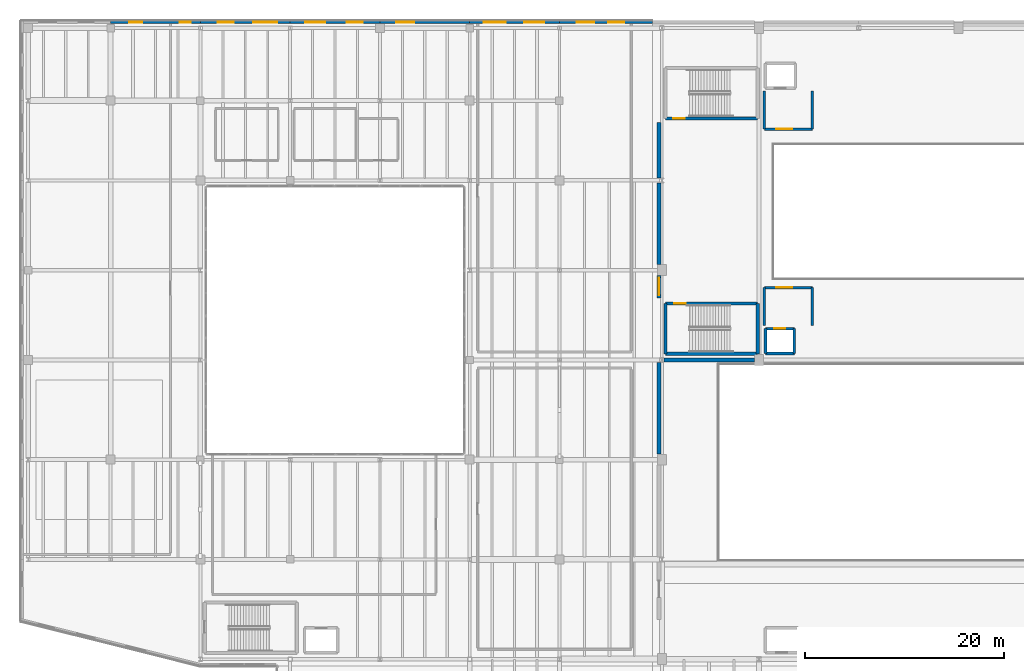
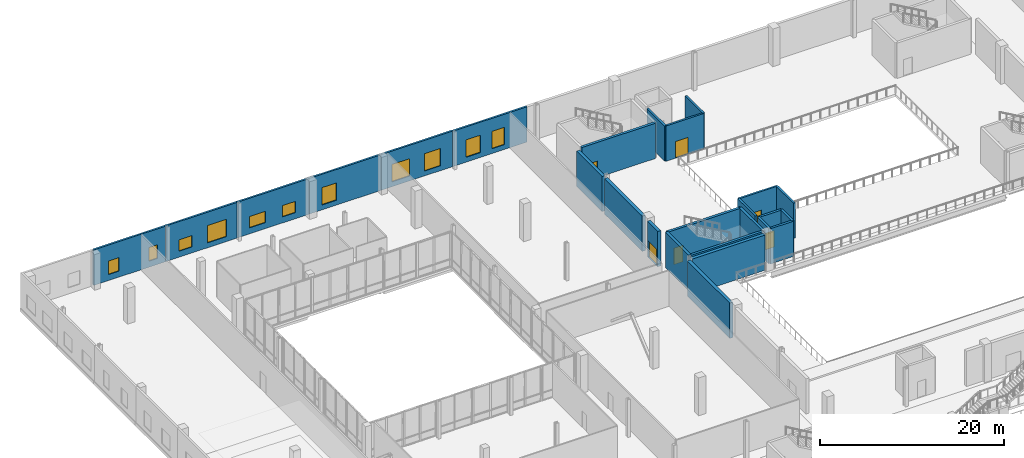
# One storey, part 57 of 73: 26 walls, 11 windows, 6 doors, 17 openings.
"""IFC4 building model written with IfcOpenShell, lengths in metres."""

from ifc_helpers import new_model, si_unit, direction, frame, frame_2d, origin, place, context, subcontext, project, spatial, rectangle, extrude, material, layer, layer_set, type_object, element, fill, save


model = new_model("IFC4")

# Units and contexts
model_context = context("Model", 3, precision=1e-05, world=origin(), true_north=direction((0.0, 1.0)))
body_context = subcontext(model_context, "Body", "Model", "MODEL_VIEW")
ifc_project = project(units=[si_unit("LENGTHUNIT", "METRE"), si_unit("AREAUNIT", "SQUARE_METRE"), si_unit("VOLUMEUNIT", "CUBIC_METRE"), si_unit("PLANEANGLEUNIT", "RADIAN"), si_unit("MASSUNIT", "GRAM", prefix="KILO")], contexts=[model_context])

# Site, building, storey
site_placement = place(None, origin())
site = spatial("IfcSite", under=ifc_project, at=site_placement, CompositionType="ELEMENT")
building_placement = place(site_placement, origin())
building = spatial("IfcBuilding", under=site, at=building_placement, Name="Trimount Lyric Opera House", CompositionType="ELEMENT")
storey_placement = place(building_placement, frame((0.0, 0.0, 10.0)))
storey = spatial("IfcBuildingStorey", under=building, at=storey_placement, Name="L02", CompositionType="ELEMENT", Elevation=10.0)

# Wall
ifc_material_1 = material(Name="Concrete C40/50", Category="concrete")
ifc_layer_1 = layer(ifc_material_1, 0.280029296875)
ifc_layer_set_1 = layer_set([ifc_layer_1], Name="WL-SH280")
wall_type_1 = type_object("IfcWallType", Name="WL-SH280", PredefinedType="SHEAR", material=ifc_layer_set_1)
wall_1_placement = place(storey_placement, frame((74.659912109375, 84.659912109375, 0.0), z_axis=(0.0, 0.0, 1.0), x_axis=(1.0, 0.0, 0.0)))
element("IfcWall", 1, at=wall_1_placement, inside=storey, type_object=wall_type_1, Name="Lift LF-01 L02 south shaft wall", PredefinedType="SHEAR", context=body_context, shape_type="SweptSolid", body=[
    extrude(rectangle(XDim=2.880126953125, YDim=0.280029296875, at=frame_2d((1.43994140625, 0.0))), origin(), (0.0, 0.0, 1.0), 4.675048828125),
])

# Wall, opening, door
wall_2_placement = place(storey_placement, frame((77.5400390625, 87.139892578125, 0.0), z_axis=(0.0, 0.0, 1.0), x_axis=(-1.0, 0.0, 0.0)))
wall_2 = element("IfcWall", 2, at=wall_2_placement, inside=storey, type_object=wall_type_1, Name="Lift LF-01 L02 north shaft wall", PredefinedType="SHEAR", context=body_context, shape_type="SweptSolid", body=[
    extrude(rectangle(XDim=2.880126953125, YDim=0.280029296875, at=frame_2d((1.43994140625, 0.0))), origin(), (0.0, 0.0, 1.0), 4.675048828125),
])
opening_1_placement = place(wall_2_placement, frame((0.889892578125, 0.0, 0.0)))
opening_1 = element("IfcOpeningElement", 3, at=opening_1_placement, cuts=wall_2, Name="Opening DT-LD1", PredefinedType="OPENING", context=body_context, shape_type="SweptSolid", body=[
    extrude(rectangle(XDim=1.10009765625, YDim=2.199951171875, at=frame_2d((0.550048828125, 1.10009765625))), frame((0.0, 0.14990234375, 0.0), z_axis=(0.0, -1.0, 0.0), x_axis=(1.0, 0.0, 0.0)), (0.0, 0.0, 1.0), 0.300048828125),
])
ifc_material_2 = material(Name="Brushed Stainless Steel", Category="steel")
door_type_1 = type_object("IfcDoorType", Name="DT-LD1", OperationType="SLIDING_TO_LEFT", PredefinedType="DOOR", material=ifc_material_2)
door_1_placement = place(opening_1_placement, origin())
door_1 = element("IfcDoor", 4, at=door_1_placement, inside=storey, type_object=door_type_1, Name="D-063", OperationType="SLIDING_TO_LEFT", OverallHeight=2.199951171875, OverallWidth=1.10009765625, PredefinedType="DOOR", context=body_context, shape_type="SweptSolid", body=[
    extrude(rectangle(XDim=1.10009765625, YDim=2.199951171875, at=frame_2d((0.550048828125, 1.10009765625))), frame((0.0, 0.02490234375, 0.0), z_axis=(0.0, -1.0, 0.0), x_axis=(1.0, 0.0, 0.0)), (0.0, 0.0, 1.0), 0.050048828125),
])
fill(opening_1, door_1)

# Walls
for number, where, z_axis, x_axis, name in (
    (5, (74.659912109375, 87.139892578125, 0.0), (0.0, 0.0, 1.0), (0.0, -1.0, 0.0), "Lift LF-01 L02 west shaft wall"),
    (6, (77.5400390625, 84.659912109375, 0.0), (0.0, 0.0, 1.0), (0.0, 1.0, 0.0), "Lift LF-01 L02 east shaft wall"),
):
    element("IfcWall", number, at=place(storey_placement, frame(where, z_axis=z_axis, x_axis=x_axis)), inside=storey, type_object=wall_type_1, Name=name, PredefinedType="SHEAR", context=body_context, shape_type="SweptSolid", body=[
        extrude(rectangle(XDim=2.47998046875, YDim=0.280029296875, at=frame_2d((1.239990234375, 0.0))), origin(), (0.0, 0.0, 1.0), 4.675048828125),
    ])

# Wall, opening, door
ifc_material_3 = material(Name="Concrete C40/50", Category="concrete")
ifc_layer_2 = layer(ifc_material_3, 0.320068359375)
ifc_layer_set_2 = layer_set([ifc_layer_2], Name="WL-SH320")
wall_type_2 = type_object("IfcWallType", Name="WL-SH320", PredefinedType="SHEAR", material=ifc_layer_set_2)
wall_3_placement = place(storey_placement, frame((64.625, 108.22509765625, 0.0), z_axis=(0.0, 0.0, 1.0), x_axis=(1.0, 0.0, 0.0)))
wall_3 = element("IfcWall", 7, at=wall_3_placement, inside=storey, type_object=wall_type_2, Name="K1 L02 south shaft wall", PredefinedType="SHEAR", context=body_context, shape_type="SweptSolid", body=[
    extrude(rectangle(XDim=9.25, YDim=0.320068359375, at=frame_2d((4.625, 0.0))), origin(), (0.0, 0.0, 1.0), 4.675048828125),
])
opening_2_placement = place(wall_3_placement, frame((0.800048828125, 0.0, 0.0)))
opening_2 = element("IfcOpeningElement", 8, at=opening_2_placement, cuts=wall_3, Name="Opening DT-ST1", PredefinedType="OPENING", context=body_context, shape_type="SweptSolid", body=[
    extrude(rectangle(XDim=1.14990234375, YDim=2.199951171875, at=frame_2d((0.574951171875, 1.10009765625))), frame((0.0, 0.169921875, 0.0), z_axis=(0.0, -1.0, 0.0), x_axis=(1.0, 0.0, 0.0)), (0.0, 0.0, 1.0), 0.340087890625),
])
ifc_material_4 = material(Name="Fire-Rated Hollow Steel", Category="steel")
door_type_2 = type_object("IfcDoorType", Name="DT-ST1", OperationType="NOTDEFINED", PredefinedType="DOOR", material=ifc_material_4)
door_2_placement = place(opening_2_placement, origin())
door_2 = element("IfcDoor", 9, at=door_2_placement, inside=storey, type_object=door_type_2, Name="D-010", OperationType="SINGLE_SWING_RIGHT", OverallHeight=2.199951171875, OverallWidth=1.14990234375, PredefinedType="DOOR", context=body_context, shape_type="SweptSolid", body=[
    extrude(rectangle(XDim=1.14990234375, YDim=2.199951171875, at=frame_2d((0.574951171875, 1.10009765625))), frame((0.0, 0.02490234375, 0.0), z_axis=(0.0, -1.0, 0.0), x_axis=(1.0, 0.0, 0.0)), (0.0, 0.0, 1.0), 0.050048828125),
])
fill(opening_2, door_2)

# Wall
wall_4_placement = place(storey_placement, frame((64.625, 84.625, 0.0), z_axis=(0.0, 0.0, 1.0), x_axis=(1.0, 0.0, 0.0)))
element("IfcWall", 10, at=wall_4_placement, inside=storey, type_object=wall_type_2, Name="K3 L02 south shaft wall", PredefinedType="SHEAR", context=body_context, shape_type="SweptSolid", body=[
    extrude(rectangle(XDim=9.25, YDim=0.320068359375, at=frame_2d((4.625, 0.0))), origin(), (0.0, 0.0, 1.0), 4.675048828125),
])

# Wall, opening, door
wall_5_placement = place(storey_placement, frame((73.875, 89.675048828125, 0.0), z_axis=(0.0, 0.0, 1.0), x_axis=(-1.0, 0.0, 0.0)))
wall_5 = element("IfcWall", 11, at=wall_5_placement, inside=storey, type_object=wall_type_2, Name="K3 L02 north shaft wall", PredefinedType="SHEAR", context=body_context, shape_type="SweptSolid", body=[
    extrude(rectangle(XDim=9.25, YDim=0.320068359375, at=frame_2d((4.625, 0.0))), origin(), (0.0, 0.0, 1.0), 4.675048828125),
])
opening_3_placement = place(wall_5_placement, frame((7.199951171875, 0.0, 0.0)))
opening_3 = element("IfcOpeningElement", 12, at=opening_3_placement, cuts=wall_5, Name="Opening DT-ST1", PredefinedType="OPENING", context=body_context, shape_type="SweptSolid", body=[
    extrude(rectangle(XDim=1.14990234375, YDim=2.199951171875, at=frame_2d((0.574951171875, 1.10009765625))), frame((0.0, 0.169921875, 0.0), z_axis=(0.0, -1.0, 0.0), x_axis=(1.0, 0.0, 0.0)), (0.0, 0.0, 1.0), 0.340087890625),
])
door_3_placement = place(opening_3_placement, origin())
door_3 = element("IfcDoor", 13, at=door_3_placement, inside=storey, type_object=door_type_2, Name="D-026", OperationType="SINGLE_SWING_RIGHT", OverallHeight=2.199951171875, OverallWidth=1.14990234375, PredefinedType="DOOR", context=body_context, shape_type="SweptSolid", body=[
    extrude(rectangle(XDim=1.14990234375, YDim=2.199951171875, at=frame_2d((0.574951171875, 1.10009765625))), frame((0.0, 0.02490234375, 0.0), z_axis=(0.0, -1.0, 0.0), x_axis=(1.0, 0.0, 0.0)), (0.0, 0.0, 1.0), 0.050048828125),
])
fill(opening_3, door_3)

# Walls
for number, where, z_axis, x_axis, name in (
    (14, (64.625, 89.675048828125, 0.0), (0.0, 0.0, 1.0), (0.0, -1.0, 0.0), "K3 L02 west shaft wall"),
    (15, (73.875, 84.625, 0.0), (0.0, 0.0, 1.0), (0.0, 1.0, 0.0), "K3 L02 east shaft wall"),
):
    element("IfcWall", number, at=place(storey_placement, frame(where, z_axis=z_axis, x_axis=x_axis)), inside=storey, type_object=wall_type_2, Name=name, PredefinedType="SHEAR", context=body_context, shape_type="SweptSolid", body=[
        extrude(rectangle(XDim=5.050048828125, YDim=0.320068359375, at=frame_2d((2.52490234375, 0.0))), origin(), (0.0, 0.0, 1.0), 4.675048828125),
    ])
ifc_material_5 = material(Name="Concrete C40/50", Category="concrete")
ifc_layer_3 = layer(ifc_material_5, 0.39990234375)
ifc_layer_set_3 = layer_set([ifc_layer_3], Name="WL-SH400")
wall_type_3 = type_object("IfcWallType", Name="WL-SH400", PredefinedType="SHEAR", material=ifc_layer_set_3)
wall_6_placement = place(storey_placement, frame((64.0, 74.550048828125, 0.0), z_axis=(0.0, 0.0, 1.0), x_axis=(0.0, 1.0, 0.0)))
element("IfcWall", 16, at=wall_6_placement, inside=storey, type_object=wall_type_3, Name="L02 auditorium west acoustic shear wall", PredefinedType="SHEAR", context=body_context, shape_type="SweptSolid", body=[
    extrude(rectangle(XDim=9.217529296875, YDim=0.39990234375, at=frame_2d((4.60888671875, 0.0))), origin(), (0.0, 0.0, 1.0), 4.675048828125),
])

# Wall, opening, door
wall_7_placement = place(storey_placement, frame((64.0, 90.199951171875, 0.0), z_axis=(0.0, 0.0, 1.0), x_axis=(0.0, 1.0, 0.0)))
wall_7 = element("IfcWall", 17, at=wall_7_placement, inside=storey, type_object=wall_type_3, Name="L02 fly-tower west shear wall", PredefinedType="SHEAR", context=body_context, shape_type="SweptSolid", body=[
    extrude(rectangle(XDim=2.25, YDim=0.39990234375, at=frame_2d((1.125, 0.0))), origin(), (0.0, 0.0, 1.0), 4.675048828125),
])
opening_4_placement = place(wall_7_placement, frame((0.300048828125, 0.0, 0.0)))
opening_4 = element("IfcOpeningElement", 18, at=opening_4_placement, cuts=wall_7, Name="Opening DT-COR1", PredefinedType="OPENING", context=body_context, shape_type="SweptSolid", body=[
    extrude(rectangle(XDim=1.75, YDim=2.199951171875, at=frame_2d((0.875, 1.10009765625))), frame((0.0, 0.2099609375, 0.0), z_axis=(0.0, -1.0, 0.0), x_axis=(1.0, 0.0, 0.0)), (0.0, 0.0, 1.0), 0.419921875),
])
ifc_material_6 = material(Name="Fire-Rated Timber Veneer", Category="wood")
door_type_3 = type_object("IfcDoorType", Name="DT-COR1", OperationType="DOUBLE_DOOR_SINGLE_SWING", PredefinedType="DOOR", material=ifc_material_6)
door_4_placement = place(opening_4_placement, origin())
door_4 = element("IfcDoor", 19, at=door_4_placement, inside=storey, type_object=door_type_3, Name="D-133", OperationType="DOUBLE_DOOR_SINGLE_SWING", OverallHeight=2.199951171875, OverallWidth=1.75, PredefinedType="DOOR", context=body_context, shape_type="SweptSolid", body=[
    extrude(rectangle(XDim=1.75, YDim=2.199951171875, at=frame_2d((0.875, 1.10009765625))), frame((0.0, 0.02490234375, 0.0), z_axis=(0.0, -1.0, 0.0), x_axis=(1.0, 0.0, 0.0)), (0.0, 0.0, 1.0), 0.050048828125),
])
fill(opening_4, door_4)

# Walls
wall_8_placement = place(storey_placement, frame((64.0, 93.550048828125, 0.0), z_axis=(0.0, 0.0, 1.0), x_axis=(0.0, 1.0, 0.0)))
element("IfcWall", 20, at=wall_8_placement, inside=storey, type_object=wall_type_3, Name="L02 fly-tower west shear wall", PredefinedType="SHEAR", context=body_context, shape_type="SweptSolid", body=[
    extrude(rectangle(XDim=8.217529296875, YDim=0.39990234375, at=frame_2d((4.10888671875, 0.0))), origin(), (0.0, 0.0, 1.0), 4.675048828125),
])
wall_9_placement = place(storey_placement, frame((64.0, 102.232421875, 0.0), z_axis=(0.0, 0.0, 1.0), x_axis=(0.0, 1.0, 0.0)))
element("IfcWall", 21, at=wall_9_placement, inside=storey, type_object=wall_type_3, Name="L02 fly-tower west shear wall", PredefinedType="SHEAR", context=body_context, shape_type="SweptSolid", body=[
    extrude(rectangle(XDim=5.567626953125, YDim=0.39990234375, at=frame_2d((2.78369140625, 0.0))), origin(), (0.0, 0.0, 1.0), 4.675048828125),
])
wall_10_placement = place(storey_placement, frame((64.470947265625, 84.0, 0.0), z_axis=(0.0, 0.0, 1.0), x_axis=(1.0, 0.0, 0.0)))
element("IfcWall", 22, at=wall_10_placement, inside=storey, type_object=wall_type_3, Name="L02 proscenium west wing wall", PredefinedType="SHEAR", context=body_context, shape_type="SweptSolid", body=[
    extrude(rectangle(XDim=9.0791015625, YDim=0.39990234375, at=frame_2d((4.53955078125, 0.0))), origin(), (0.0, 0.0, 1.0), 4.675048828125),
])

# Wall, opening, door
ifc_material_7 = material(Name="Concrete C35/45", Category="concrete")
ifc_layer_4 = layer(ifc_material_7, 0.239990234375)
ifc_layer_set_4 = layer_set([ifc_layer_4], Name="WL-SW240")
wall_type_4 = type_object("IfcWallType", Name="WL-SW240", PredefinedType="SOLIDWALL", material=ifc_layer_set_4)
wall_11_placement = place(storey_placement, frame((74.550048828125, 91.25, 0.0), z_axis=(0.0, 0.0, 1.0), x_axis=(1.0, 0.0, 0.0)))
wall_11 = element("IfcWall", 23, at=wall_11_placement, inside=storey, type_object=wall_type_4, Name="L02 firefighting lobby LF-01 entry wall", PredefinedType="SOLIDWALL", context=body_context, shape_type="SweptSolid", body=[
    extrude(rectangle(XDim=4.800048828125, YDim=0.239990234375, at=frame_2d((2.39990234375, 0.0))), origin(), (0.0, 0.0, 1.0), 4.675048828125),
])
opening_5_placement = place(wall_11_placement, frame((1.199951171875, 0.0, 0.0)))
opening_5 = element("IfcOpeningElement", 24, at=opening_5_placement, cuts=wall_11, Name="Opening DT-FF1", PredefinedType="OPENING", context=body_context, shape_type="SweptSolid", body=[
    extrude(rectangle(XDim=1.60009765625, YDim=2.199951171875, at=frame_2d((0.800048828125, 1.10009765625))), frame((0.0, 0.1298828125, 0.0), z_axis=(0.0, -1.0, 0.0), x_axis=(1.0, 0.0, 0.0)), (0.0, 0.0, 1.0), 0.260009765625),
])
ifc_material_8 = material(Name="Fire-Rated Hollow Steel", Category="steel")
door_type_4 = type_object("IfcDoorType", Name="DT-FF1", OperationType="DOUBLE_DOOR_SINGLE_SWING", PredefinedType="DOOR", material=ifc_material_8)
door_5_placement = place(opening_5_placement, origin())
door_5 = element("IfcDoor", 25, at=door_5_placement, inside=storey, type_object=door_type_4, Name="D-064", OperationType="DOUBLE_DOOR_SINGLE_SWING", OverallHeight=2.199951171875, OverallWidth=1.60009765625, PredefinedType="DOOR", context=body_context, shape_type="SweptSolid", body=[
    extrude(rectangle(XDim=1.60009765625, YDim=2.199951171875, at=frame_2d((0.800048828125, 1.10009765625))), frame((0.0, 0.02490234375, 0.0), z_axis=(0.0, -1.0, 0.0), x_axis=(1.0, 0.0, 0.0)), (0.0, 0.0, 1.0), 0.050048828125),
])
fill(opening_5, door_5)

# Walls
for number, where, z_axis, x_axis, name in (
    (26, (74.550048828125, 91.25, 0.0), (0.0, 0.0, 1.0), (0.0, -1.0, 0.0), "L02 firefighting lobby LF-01 west wall"),
    (27, (79.35009765625, 87.449951171875, 0.0), (0.0, 0.0, 1.0), (0.0, 1.0, 0.0), "L02 firefighting lobby LF-01 east wall"),
):
    element("IfcWall", number, at=place(storey_placement, frame(where, z_axis=z_axis, x_axis=x_axis)), inside=storey, type_object=wall_type_4, Name=name, PredefinedType="SOLIDWALL", context=body_context, shape_type="SweptSolid", body=[
        extrude(rectangle(XDim=3.800048828125, YDim=0.239990234375, at=frame_2d((1.89990234375, 0.0))), origin(), (0.0, 0.0, 1.0), 4.675048828125),
    ])

# Wall, opening, door
wall_12_placement = place(storey_placement, frame((74.550048828125, 107.14990234375, 0.0), z_axis=(0.0, 0.0, 1.0), x_axis=(1.0, 0.0, 0.0)))
wall_12 = element("IfcWall", 28, at=wall_12_placement, inside=storey, type_object=wall_type_4, Name="L02 firefighting lobby LF-05 entry wall", PredefinedType="SOLIDWALL", context=body_context, shape_type="SweptSolid", body=[
    extrude(rectangle(XDim=4.800048828125, YDim=0.239990234375, at=frame_2d((2.39990234375, 0.0))), origin(), (0.0, 0.0, 1.0), 4.675048828125),
])
opening_6_placement = place(wall_12_placement, frame((1.199951171875, 0.0, 0.0)))
opening_6 = element("IfcOpeningElement", 29, at=opening_6_placement, cuts=wall_12, Name="Opening DT-FF1", PredefinedType="OPENING", context=body_context, shape_type="SweptSolid", body=[
    extrude(rectangle(XDim=1.60009765625, YDim=2.199951171875, at=frame_2d((0.800048828125, 1.10009765625))), frame((0.0, 0.1298828125, 0.0), z_axis=(0.0, -1.0, 0.0), x_axis=(1.0, 0.0, 0.0)), (0.0, 0.0, 1.0), 0.260009765625),
])
door_6_placement = place(opening_6_placement, origin())
door_6 = element("IfcDoor", 30, at=door_6_placement, inside=storey, type_object=door_type_4, Name="D-098", OperationType="DOUBLE_DOOR_SINGLE_SWING", OverallHeight=2.199951171875, OverallWidth=1.60009765625, PredefinedType="DOOR", context=body_context, shape_type="SweptSolid", body=[
    extrude(rectangle(XDim=1.60009765625, YDim=2.199951171875, at=frame_2d((0.800048828125, 1.10009765625))), frame((0.0, 0.02490234375, 0.0), z_axis=(0.0, -1.0, 0.0), x_axis=(1.0, 0.0, 0.0)), (0.0, 0.0, 1.0), 0.050048828125),
])
fill(opening_6, door_6)

# Walls
for number, where, z_axis, x_axis, name in (
    (31, (74.550048828125, 110.949951171875, 0.0), (0.0, 0.0, 1.0), (0.0, -1.0, 0.0), "L02 firefighting lobby LF-05 west wall"),
    (32, (79.35009765625, 107.14990234375, 0.0), (0.0, 0.0, 1.0), (0.0, 1.0, 0.0), "L02 firefighting lobby LF-05 east wall"),
):
    element("IfcWall", number, at=place(storey_placement, frame(where, z_axis=z_axis, x_axis=x_axis)), inside=storey, type_object=wall_type_4, Name=name, PredefinedType="SOLIDWALL", context=body_context, shape_type="SweptSolid", body=[
        extrude(rectangle(XDim=3.800048828125, YDim=0.239990234375, at=frame_2d((1.89990234375, 0.0))), origin(), (0.0, 0.0, 1.0), 4.675048828125),
    ])

# Wall, openings, windows
wall_13_placement = place(storey_placement, frame((9.0, 117.860107421875, 0.0), z_axis=(0.0, 0.0, 1.0), x_axis=(1.0, 0.0, 0.0)))
wall_13 = element("IfcWall", 33, at=wall_13_placement, inside=storey, type_object=wall_type_4, Name="L02 exterior facade wall 205", PredefinedType="SOLIDWALL", context=body_context, shape_type="SweptSolid", body=[
    extrude(rectangle(XDim=9.0, YDim=0.239990234375, at=frame_2d((4.5, 0.0))), origin(), (0.0, 0.0, 1.0), 4.7099609375),
])
opening_7_placement = place(wall_13_placement, frame((1.8701171875, 0.0, 0.800048828125)))
opening_7 = element("IfcOpeningElement", 34, at=opening_7_placement, cuts=wall_13, Name="Opening WT-21", PredefinedType="OPENING", context=body_context, shape_type="SweptSolid", body=[
    extrude(rectangle(XDim=1.300048828125, YDim=1.800048828125, at=frame_2d((0.64990234375, 0.89990234375))), frame((0.0, 0.1298828125, 0.0), z_axis=(0.0, -1.0, 0.0), x_axis=(1.0, 0.0, 0.0)), (0.0, 0.0, 1.0), 0.260009765625),
])
opening_8_placement = place(wall_13_placement, frame((6.929931640625, 0.0, 0.800048828125)))
opening_8 = element("IfcOpeningElement", 35, at=opening_8_placement, cuts=wall_13, Name="Opening WT-22", PredefinedType="OPENING", context=body_context, shape_type="SweptSolid", body=[
    extrude(rectangle(XDim=1.10009765625, YDim=1.800048828125, at=frame_2d((0.550048828125, 0.89990234375))), frame((0.0, 0.1298828125, 0.0), z_axis=(0.0, -1.0, 0.0), x_axis=(1.0, 0.0, 0.0)), (0.0, 0.0, 1.0), 0.260009765625),
])
ifc_material_9 = material(Name="Dressing Suite Acoustic Window")
window_type_1 = type_object("IfcWindowType", Name="WT-21", PartitioningType="SINGLE_PANEL", PredefinedType="WINDOW", material=ifc_material_9)
window_1_placement = place(opening_7_placement, origin())
window_1 = element("IfcWindow", 36, at=window_1_placement, inside=storey, type_object=window_type_1, Name="Window WT-21-0151", OverallHeight=1.800048828125, OverallWidth=1.300048828125, PartitioningType="SINGLE_PANEL", PredefinedType="WINDOW", context=body_context, shape_type="SweptSolid", body=[
    extrude(rectangle(XDim=1.300048828125, YDim=1.800048828125, at=frame_2d((0.64990234375, 0.89990234375))), frame((0.0, 0.030029296875, 0.0), z_axis=(0.0, -1.0, 0.0), x_axis=(1.0, 0.0, 0.0)), (0.0, 0.0, 1.0), 0.06005859375),
])
fill(opening_7, window_1)
ifc_material_10 = material(Name="Practice Room Acoustic Window")
window_type_2 = type_object("IfcWindowType", Name="WT-22", PartitioningType="SINGLE_PANEL", PredefinedType="WINDOW", material=ifc_material_10)
window_2_placement = place(opening_8_placement, origin())
window_2 = element("IfcWindow", 37, at=window_2_placement, inside=storey, type_object=window_type_2, Name="Window WT-22-0152", OverallHeight=1.800048828125, OverallWidth=1.10009765625, PartitioningType="SINGLE_PANEL", PredefinedType="WINDOW", context=body_context, shape_type="SweptSolid", body=[
    extrude(rectangle(XDim=1.10009765625, YDim=1.800048828125, at=frame_2d((0.550048828125, 0.89990234375))), frame((0.0, 0.030029296875, 0.0), z_axis=(0.0, -1.0, 0.0), x_axis=(1.0, 0.0, 0.0)), (0.0, 0.0, 1.0), 0.06005859375),
])
fill(opening_8, window_2)

wall_14_placement = place(storey_placement, frame((18.0, 117.860107421875, 0.0), z_axis=(0.0, 0.0, 1.0), x_axis=(1.0, 0.0, 0.0)))
wall_14 = element("IfcWall", 38, at=wall_14_placement, inside=storey, type_object=wall_type_4, Name="L02 exterior facade wall 206", PredefinedType="SOLIDWALL", context=body_context, shape_type="SweptSolid", body=[
    extrude(rectangle(XDim=9.0, YDim=0.239990234375, at=frame_2d((4.5, 0.0))), origin(), (0.0, 0.0, 1.0), 4.719970703125),
])
opening_9_placement = place(wall_14_placement, frame((1.719970703125, 0.0, 0.800048828125)))
opening_9 = element("IfcOpeningElement", 39, at=opening_9_placement, cuts=wall_14, Name="Opening WT-26", PredefinedType="OPENING", context=body_context, shape_type="SweptSolid", body=[
    extrude(rectangle(XDim=1.60009765625, YDim=1.5, at=frame_2d((0.800048828125, 0.75))), frame((0.0, 0.1298828125, 0.0), z_axis=(0.0, -1.0, 0.0), x_axis=(1.0, 0.0, 0.0)), (0.0, 0.0, 1.0), 0.260009765625),
])
opening_10_placement = place(wall_14_placement, frame((5.280029296875, 0.0, 0.64990234375)))
opening_10 = element("IfcOpeningElement", 40, at=opening_10_placement, cuts=wall_14, Name="Opening WT-01", PredefinedType="OPENING", context=body_context, shape_type="SweptSolid", body=[
    extrude(rectangle(XDim=2.39990234375, YDim=2.300048828125, at=frame_2d((1.199951171875, 1.14990234375))), frame((0.0, 0.1298828125, 0.0), z_axis=(0.0, -1.0, 0.0), x_axis=(1.0, 0.0, 0.0)), (0.0, 0.0, 1.0), 0.260009765625),
])
ifc_material_11 = material(Name="Triple Acoustic Glazing in Aluminium Frame", Category="aluminium")
window_type_3 = type_object("IfcWindowType", Name="WT-01", PartitioningType="DOUBLE_PANEL_VERTICAL", PredefinedType="WINDOW", material=ifc_material_11)
window_3_placement = place(opening_10_placement, origin())
window_3 = element("IfcWindow", 41, at=window_3_placement, inside=storey, type_object=window_type_3, Name="Window WT-01-0154", OverallHeight=2.300048828125, OverallWidth=2.39990234375, PartitioningType="SINGLE_PANEL", PredefinedType="WINDOW", context=body_context, shape_type="SweptSolid", body=[
    extrude(rectangle(XDim=2.39990234375, YDim=2.300048828125, at=frame_2d((1.199951171875, 1.14990234375))), frame((0.0, 0.030029296875, 0.0), z_axis=(0.0, -1.0, 0.0), x_axis=(1.0, 0.0, 0.0)), (0.0, 0.0, 1.0), 0.06005859375),
])
fill(opening_10, window_3)
ifc_material_12 = material(Name="Clerestory Ribbon Glazing", Category="glass")
window_type_4 = type_object("IfcWindowType", Name="WT-26", PartitioningType="SINGLE_PANEL", PredefinedType="WINDOW", material=ifc_material_12)
window_4_placement = place(opening_9_placement, origin())
window_4 = element("IfcWindow", 42, at=window_4_placement, inside=storey, type_object=window_type_4, Name="Window WT-26-0153", OverallHeight=1.5, OverallWidth=1.60009765625, PartitioningType="SINGLE_PANEL", PredefinedType="WINDOW", context=body_context, shape_type="SweptSolid", body=[
    extrude(rectangle(XDim=1.60009765625, YDim=1.5, at=frame_2d((0.800048828125, 0.75))), frame((0.0, 0.030029296875, 0.0), z_axis=(0.0, -1.0, 0.0), x_axis=(1.0, 0.0, 0.0)), (0.0, 0.0, 1.0), 0.06005859375),
])
fill(opening_9, window_4)

wall_15_placement = place(storey_placement, frame((27.0, 117.860107421875, 0.0), z_axis=(0.0, 0.0, 1.0), x_axis=(1.0, 0.0, 0.0)))
wall_15 = element("IfcWall", 43, at=wall_15_placement, inside=storey, type_object=wall_type_4, Name="L02 exterior facade wall 207", PredefinedType="SOLIDWALL", context=body_context, shape_type="SweptSolid", body=[
    extrude(rectangle(XDim=9.0, YDim=0.239990234375, at=frame_2d((4.5, 0.0))), origin(), (0.0, 0.0, 1.0), 4.719970703125),
])
opening_11_placement = place(wall_15_placement, frame((1.52001953125, 0.0, 0.800048828125)))
opening_11 = element("IfcOpeningElement", 44, at=opening_11_placement, cuts=wall_15, Name="Opening WT-25", PredefinedType="OPENING", context=body_context, shape_type="SweptSolid", body=[
    extrude(rectangle(XDim=2.0, YDim=1.5, at=frame_2d((1.0, 0.75))), frame((0.0, 0.1298828125, 0.0), z_axis=(0.0, -1.0, 0.0), x_axis=(1.0, 0.0, 0.0)), (0.0, 0.0, 1.0), 0.260009765625),
])
opening_12_placement = place(wall_15_placement, frame((5.679931640625, 0.0, 0.800048828125)))
opening_12 = element("IfcOpeningElement", 45, at=opening_12_placement, cuts=wall_15, Name="Opening WT-26", PredefinedType="OPENING", context=body_context, shape_type="SweptSolid", body=[
    extrude(rectangle(XDim=1.60009765625, YDim=1.5, at=frame_2d((0.800048828125, 0.75))), frame((0.0, 0.1298828125, 0.0), z_axis=(0.0, -1.0, 0.0), x_axis=(1.0, 0.0, 0.0)), (0.0, 0.0, 1.0), 0.260009765625),
])
ifc_material_13 = material(Name="Clerestory Ribbon Glazing", Category="glass")
window_type_5 = type_object("IfcWindowType", Name="WT-25", PartitioningType="DOUBLE_PANEL_HORIZONTAL", PredefinedType="WINDOW", material=ifc_material_13)
window_5_placement = place(opening_11_placement, origin())
window_5 = element("IfcWindow", 46, at=window_5_placement, inside=storey, type_object=window_type_5, Name="Window WT-25-0155", OverallHeight=1.5, OverallWidth=2.0, PartitioningType="SINGLE_PANEL", PredefinedType="WINDOW", context=body_context, shape_type="SweptSolid", body=[
    extrude(rectangle(XDim=2.0, YDim=1.5, at=frame_2d((1.0, 0.75))), frame((0.0, 0.030029296875, 0.0), z_axis=(0.0, -1.0, 0.0), x_axis=(1.0, 0.0, 0.0)), (0.0, 0.0, 1.0), 0.06005859375),
])
fill(opening_11, window_5)
window_6_placement = place(opening_12_placement, origin())
window_6 = element("IfcWindow", 47, at=window_6_placement, inside=storey, type_object=window_type_4, Name="Window WT-26-0156", OverallHeight=1.5, OverallWidth=1.60009765625, PartitioningType="SINGLE_PANEL", PredefinedType="WINDOW", context=body_context, shape_type="SweptSolid", body=[
    extrude(rectangle(XDim=1.60009765625, YDim=1.5, at=frame_2d((0.800048828125, 0.75))), frame((0.0, 0.030029296875, 0.0), z_axis=(0.0, -1.0, 0.0), x_axis=(1.0, 0.0, 0.0)), (0.0, 0.0, 1.0), 0.06005859375),
])
fill(opening_12, window_6)

# Wall, opening, window
wall_16_placement = place(storey_placement, frame((36.0, 117.860107421875, 0.0), z_axis=(0.0, 0.0, 1.0), x_axis=(1.0, 0.0, 0.0)))
wall_16 = element("IfcWall", 48, at=wall_16_placement, inside=storey, type_object=wall_type_4, Name="L02 exterior facade wall 208", PredefinedType="SOLIDWALL", context=body_context, shape_type="SweptSolid", body=[
    extrude(rectangle(XDim=9.0, YDim=0.239990234375, at=frame_2d((4.5, 0.0))), origin(), (0.0, 0.0, 1.0), 4.719970703125),
])
opening_13_placement = place(wall_16_placement, frame((1.6201171875, 0.0, 0.64990234375)))
opening_13 = element("IfcOpeningElement", 49, at=opening_13_placement, cuts=wall_16, Name="Opening WT-04", PredefinedType="OPENING", context=body_context, shape_type="SweptSolid", body=[
    extrude(rectangle(XDim=1.800048828125, YDim=2.300048828125, at=frame_2d((0.89990234375, 1.14990234375))), frame((0.0, 0.1298828125, 0.0), z_axis=(0.0, -1.0, 0.0), x_axis=(1.0, 0.0, 0.0)), (0.0, 0.0, 1.0), 0.260009765625),
])
ifc_material_14 = material(Name="Triple Acoustic Glazing in Aluminium Frame", Category="aluminium")
window_type_6 = type_object("IfcWindowType", Name="WT-04", PartitioningType="DOUBLE_PANEL_VERTICAL", PredefinedType="WINDOW", material=ifc_material_14)
window_7_placement = place(opening_13_placement, origin())
window_7 = element("IfcWindow", 50, at=window_7_placement, inside=storey, type_object=window_type_6, Name="Window WT-04-0157", OverallHeight=2.300048828125, OverallWidth=1.800048828125, PartitioningType="SINGLE_PANEL", PredefinedType="WINDOW", context=body_context, shape_type="SweptSolid", body=[
    extrude(rectangle(XDim=1.800048828125, YDim=2.300048828125, at=frame_2d((0.89990234375, 1.14990234375))), frame((0.0, 0.030029296875, 0.0), z_axis=(0.0, -1.0, 0.0), x_axis=(1.0, 0.0, 0.0)), (0.0, 0.0, 1.0), 0.06005859375),
])
fill(opening_13, window_7)

# Wall, openings, windows
wall_17_placement = place(storey_placement, frame((45.0, 117.860107421875, 0.0), z_axis=(0.0, 0.0, 1.0), x_axis=(1.0, 0.0, 0.0)))
wall_17 = element("IfcWall", 51, at=wall_17_placement, inside=storey, type_object=wall_type_4, Name="L02 exterior facade wall 209", PredefinedType="SOLIDWALL", context=body_context, shape_type="SweptSolid", body=[
    extrude(rectangle(XDim=9.0, YDim=0.239990234375, at=frame_2d((4.5, 0.0))), origin(), (0.0, 0.0, 1.0), 4.719970703125),
])
opening_14_placement = place(wall_17_placement, frame((1.419921875, 0.0, 0.64990234375)))
opening_14 = element("IfcOpeningElement", 52, at=opening_14_placement, cuts=wall_17, Name="Opening WT-02", PredefinedType="OPENING", context=body_context, shape_type="SweptSolid", body=[
    extrude(rectangle(XDim=2.199951171875, YDim=2.300048828125, at=frame_2d((1.10009765625, 1.14990234375))), frame((0.0, 0.1298828125, 0.0), z_axis=(0.0, -1.0, 0.0), x_axis=(1.0, 0.0, 0.0)), (0.0, 0.0, 1.0), 0.260009765625),
])
opening_15_placement = place(wall_17_placement, frame((5.47998046875, 0.0, 0.64990234375)))
opening_15 = element("IfcOpeningElement", 53, at=opening_15_placement, cuts=wall_17, Name="Opening WT-03", PredefinedType="OPENING", context=body_context, shape_type="SweptSolid", body=[
    extrude(rectangle(XDim=2.0, YDim=2.300048828125, at=frame_2d((1.0, 1.14990234375))), frame((0.0, 0.1298828125, 0.0), z_axis=(0.0, -1.0, 0.0), x_axis=(1.0, 0.0, 0.0)), (0.0, 0.0, 1.0), 0.260009765625),
])
ifc_material_15 = material(Name="Triple Acoustic Glazing in Aluminium Frame", Category="aluminium")
window_type_7 = type_object("IfcWindowType", Name="WT-02", PartitioningType="DOUBLE_PANEL_VERTICAL", PredefinedType="WINDOW", material=ifc_material_15)
window_8_placement = place(opening_14_placement, origin())
window_8 = element("IfcWindow", 54, at=window_8_placement, inside=storey, type_object=window_type_7, Name="Window WT-02-0158", OverallHeight=2.300048828125, OverallWidth=2.199951171875, PartitioningType="SINGLE_PANEL", PredefinedType="WINDOW", context=body_context, shape_type="SweptSolid", body=[
    extrude(rectangle(XDim=2.199951171875, YDim=2.300048828125, at=frame_2d((1.10009765625, 1.14990234375))), frame((0.0, 0.030029296875, 0.0), z_axis=(0.0, -1.0, 0.0), x_axis=(1.0, 0.0, 0.0)), (0.0, 0.0, 1.0), 0.06005859375),
])
fill(opening_14, window_8)
ifc_material_16 = material(Name="Triple Acoustic Glazing in Aluminium Frame", Category="aluminium")
window_type_8 = type_object("IfcWindowType", Name="WT-03", PartitioningType="DOUBLE_PANEL_VERTICAL", PredefinedType="WINDOW", material=ifc_material_16)
window_9_placement = place(opening_15_placement, origin())
window_9 = element("IfcWindow", 55, at=window_9_placement, inside=storey, type_object=window_type_8, Name="Window WT-03-0159", OverallHeight=2.300048828125, OverallWidth=2.0, PartitioningType="SINGLE_PANEL", PredefinedType="WINDOW", context=body_context, shape_type="SweptSolid", body=[
    extrude(rectangle(XDim=2.0, YDim=2.300048828125, at=frame_2d((1.0, 1.14990234375))), frame((0.0, 0.030029296875, 0.0), z_axis=(0.0, -1.0, 0.0), x_axis=(1.0, 0.0, 0.0)), (0.0, 0.0, 1.0), 0.06005859375),
])
fill(opening_15, window_9)

wall_18_placement = place(storey_placement, frame((54.0, 117.860107421875, 0.0), z_axis=(0.0, 0.0, 1.0), x_axis=(1.0, 0.0, 0.0)))
wall_18 = element("IfcWall", 56, at=wall_18_placement, inside=storey, type_object=wall_type_4, Name="L02 exterior facade wall 210", PredefinedType="SOLIDWALL", context=body_context, shape_type="SweptSolid", body=[
    extrude(rectangle(XDim=9.320068359375, YDim=0.239990234375, at=frame_2d((4.66015625, 0.0))), origin(), (0.0, 0.0, 1.0), 4.675048828125),
])
opening_16_placement = place(wall_18_placement, frame((1.709716796875, 0.0, 0.64990234375)))
opening_16 = element("IfcOpeningElement", 57, at=opening_16_placement, cuts=wall_18, Name="Opening WT-04", PredefinedType="OPENING", context=body_context, shape_type="SweptSolid", body=[
    extrude(rectangle(XDim=1.800048828125, YDim=2.300048828125, at=frame_2d((0.89990234375, 1.14990234375))), frame((0.0, 0.1298828125, 0.0), z_axis=(0.0, -1.0, 0.0), x_axis=(1.0, 0.0, 0.0)), (0.0, 0.0, 1.0), 0.260009765625),
])
opening_17_placement = place(wall_18_placement, frame((4.910400390625, 0.0, 0.64990234375)))
opening_17 = element("IfcOpeningElement", 58, at=opening_17_placement, cuts=wall_18, Name="Opening WT-05", PredefinedType="OPENING", context=body_context, shape_type="SweptSolid", body=[
    extrude(rectangle(XDim=1.60009765625, YDim=2.300048828125, at=frame_2d((0.800048828125, 1.14990234375))), frame((0.0, 0.1298828125, 0.0), z_axis=(0.0, -1.0, 0.0), x_axis=(1.0, 0.0, 0.0)), (0.0, 0.0, 1.0), 0.260009765625),
])
window_10_placement = place(opening_16_placement, origin())
window_10 = element("IfcWindow", 59, at=window_10_placement, inside=storey, type_object=window_type_6, Name="Window WT-04-0160", OverallHeight=2.300048828125, OverallWidth=1.800048828125, PartitioningType="SINGLE_PANEL", PredefinedType="WINDOW", context=body_context, shape_type="SweptSolid", body=[
    extrude(rectangle(XDim=1.800048828125, YDim=2.300048828125, at=frame_2d((0.89990234375, 1.14990234375))), frame((0.0, 0.030029296875, 0.0), z_axis=(0.0, -1.0, 0.0), x_axis=(1.0, 0.0, 0.0)), (0.0, 0.0, 1.0), 0.06005859375),
])
fill(opening_16, window_10)
ifc_material_17 = material(Name="Triple Acoustic Glazing in Aluminium Frame", Category="aluminium")
window_type_9 = type_object("IfcWindowType", Name="WT-05", PartitioningType="SINGLE_PANEL", PredefinedType="WINDOW", material=ifc_material_17)
window_11_placement = place(opening_17_placement, origin())
window_11 = element("IfcWindow", 60, at=window_11_placement, inside=storey, type_object=window_type_9, Name="Window WT-05-0161", OverallHeight=2.300048828125, OverallWidth=1.60009765625, PartitioningType="SINGLE_PANEL", PredefinedType="WINDOW", context=body_context, shape_type="SweptSolid", body=[
    extrude(rectangle(XDim=1.60009765625, YDim=2.300048828125, at=frame_2d((0.800048828125, 1.14990234375))), frame((0.0, 0.030029296875, 0.0), z_axis=(0.0, -1.0, 0.0), x_axis=(1.0, 0.0, 0.0)), (0.0, 0.0, 1.0), 0.06005859375),
])
fill(opening_17, window_11)

save(model, "model.ifc")
